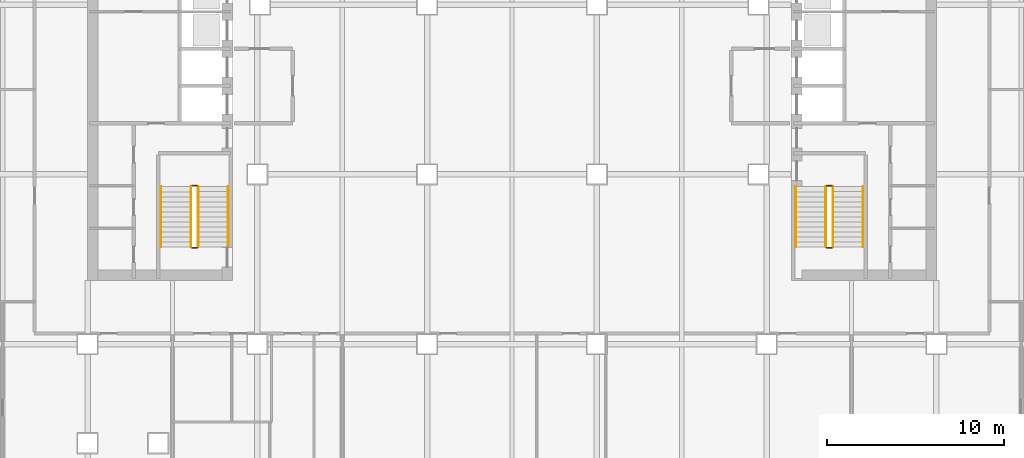
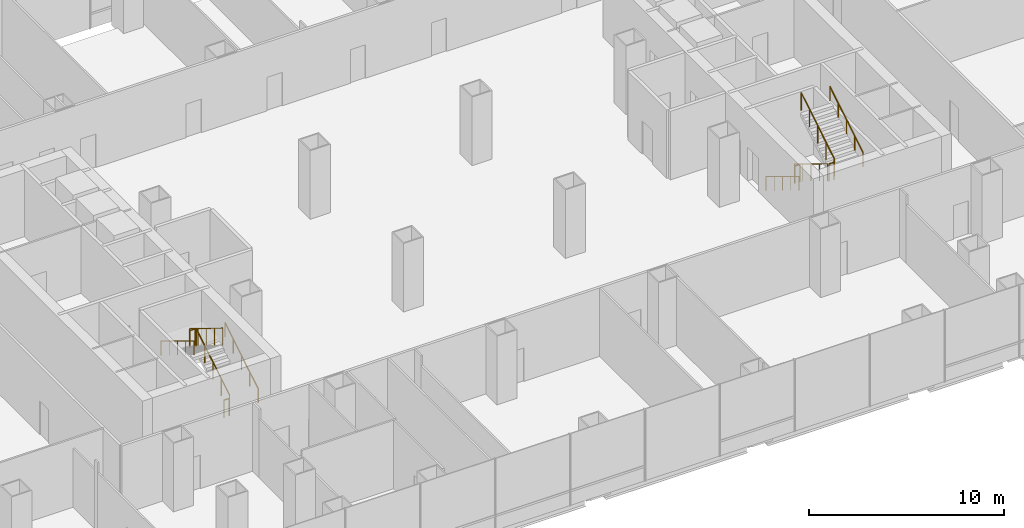
# One storey, part 22 of 23: 12 railings.
"""IFC4 building model written with IfcOpenShell, lengths in metres."""

from ifc_helpers import new_model, si_unit, direction, frame, origin, origin_2d, place, context, subcontext, project, spatial, circle, extrude, material, type_object, element, save


model = new_model("IFC4")

# Units and contexts
model_context = context("Model", 3, precision=1e-05, world=origin(), true_north=direction((0.0, 1.0)))
body_context = subcontext(model_context, "Body", "Model", "MODEL_VIEW")
ifc_project = project(units=[si_unit("LENGTHUNIT", "METRE"), si_unit("AREAUNIT", "SQUARE_METRE"), si_unit("VOLUMEUNIT", "CUBIC_METRE"), si_unit("PLANEANGLEUNIT", "RADIAN"), si_unit("MASSUNIT", "GRAM", prefix="KILO")], contexts=[model_context])

# Site, building, storey
site_placement = place(None, origin())
site = spatial("IfcSite", under=ifc_project, at=site_placement, CompositionType="ELEMENT")
building_placement = place(site_placement, origin())
building = spatial("IfcBuilding", under=site, at=building_placement, Name="Cobrizo Arcos Hotel Tower", CompositionType="ELEMENT")
storey_placement = place(building_placement, frame((0.0, 0.0, 20.0)))
storey = spatial("IfcBuildingStorey", under=building, at=storey_placement, Name="L03", CompositionType="ELEMENT", Elevation=20.0)

# Railings
ifc_material = material(Name="Stainless steel railing", Category="steel")
railing_type_1 = type_object("IfcRailingType", Name="Stair guard 1100", PredefinedType="GUARDRAIL", material=ifc_material)
railing_1_placement = place(storey_placement, frame((-17.75, -8.89990234375, 0.173095703125)))
element("IfcRailing", 1, at=railing_1_placement, inside=storey, type_object=railing_type_1, Name="L03 ST-W stair guard 1", PredefinedType="GUARDRAIL", context=body_context, shape_type="SweptSolid", body=[
    extrude(circle(Radius=0.02392578125, at=origin_2d()), frame((0.0, 0.0, 1.076171875), z_axis=(0.0, 0.853372706543, 0.52130127923), x_axis=(-1.0, 0.0, 0.0)), (0.0, 0.0, 1.0), 3.984130859375),
    extrude(circle(Radius=0.02099609375, at=origin_2d()), origin(), (0.0, 0.0, 1.0), 1.052001953125),
    extrude(circle(Radius=0.02099609375, at=origin_2d()), frame((0.0, 0.85009765625, 0.519287109375)), (0.0, 0.0, 1.0), 1.052001953125),
    extrude(circle(Radius=0.02099609375, at=origin_2d()), frame((0.0, 1.699951171875, 1.03857421875)), (0.0, 0.0, 1.0), 1.052001953125),
    extrude(circle(Radius=0.02099609375, at=origin_2d()), frame((0.0, 2.5498046875, 1.5576171875)), (0.0, 0.0, 1.0), 1.052001953125),
    extrude(circle(Radius=0.02099609375, at=origin_2d()), frame((0.0, 3.39990234375, 2.076904296875)), (0.0, 0.0, 1.0), 1.052001953125),
])
railing_2_placement = place(storey_placement, frame((-17.800048828125, -5.449951171875, 2.25)))
element("IfcRailing", 2, at=railing_2_placement, inside=storey, type_object=railing_type_1, Name="L03 ST-W stair guard 2", PredefinedType="GUARDRAIL", context=body_context, shape_type="SweptSolid", body=[
    extrude(circle(Radius=0.02392578125, at=origin_2d()), frame((0.0, 0.0, 1.076171875), z_axis=(-1.0, 0.0, 0.0), x_axis=(0.0, -1.0, 0.0)), (0.0, 0.0, 1.0), 0.300048828125),
    extrude(circle(Radius=0.02099609375, at=origin_2d()), origin(), (0.0, 0.0, 1.0), 1.052001953125),
    extrude(circle(Radius=0.02099609375, at=origin_2d()), frame((-0.300048828125, 0.0, 0.0)), (0.0, 0.0, 1.0), 1.052001953125),
])
railing_3_placement = place(storey_placement, frame((-18.14990234375, -5.5, 2.423095703125)))
element("IfcRailing", 3, at=railing_3_placement, inside=storey, type_object=railing_type_1, Name="L03 ST-W stair guard 3", PredefinedType="GUARDRAIL", context=body_context, shape_type="SweptSolid", body=[
    extrude(circle(Radius=0.02392578125, at=origin_2d()), frame((0.0, 0.0, 1.076171875), z_axis=(0.0, -0.853372706543, 0.52130127923), x_axis=(1.0, 0.0, 0.0)), (0.0, 0.0, 1.0), 3.984130859375),
    extrude(circle(Radius=0.02099609375, at=origin_2d()), origin(), (0.0, 0.0, 1.0), 1.052001953125),
    extrude(circle(Radius=0.02099609375, at=origin_2d()), frame((0.0, -0.85009765625, 0.519287109375)), (0.0, 0.0, 1.0), 1.052001953125),
    extrude(circle(Radius=0.02099609375, at=origin_2d()), frame((0.0, -1.699951171875, 1.03857421875)), (0.0, 0.0, 1.0), 1.052001953125),
    extrude(circle(Radius=0.02099609375, at=origin_2d()), frame((0.0, -2.5498046875, 1.5576171875)), (0.0, 0.0, 1.0), 1.052001953125),
    extrude(circle(Radius=0.02099609375, at=origin_2d()), frame((0.0, -3.39990234375, 2.076904296875)), (0.0, 0.0, 1.0), 1.052001953125),
])
railing_4_placement = place(storey_placement, frame((-17.800048828125, -8.949951171875, 0.0)))
element("IfcRailing", 4, at=railing_4_placement, inside=storey, type_object=railing_type_1, Name="L03 ST-W stair guard 4", PredefinedType="GUARDRAIL", context=body_context, shape_type="SweptSolid", body=[
    extrude(circle(Radius=0.02392578125, at=origin_2d()), frame((0.0, 0.0, 1.076171875), z_axis=(-1.0, 0.0, 0.0), x_axis=(0.0, -1.0, 0.0)), (0.0, 0.0, 1.0), 0.300048828125),
    extrude(circle(Radius=0.02099609375, at=origin_2d()), origin(), (0.0, 0.0, 1.0), 1.052001953125),
    extrude(circle(Radius=0.02099609375, at=origin_2d()), frame((-0.300048828125, 0.0, 0.0)), (0.0, 0.0, 1.0), 1.052001953125),
])
railing_5_placement = place(storey_placement, frame((17.75, -5.5, 0.173095703125)))
element("IfcRailing", 5, at=railing_5_placement, inside=storey, type_object=railing_type_1, Name="L03 ST-E stair guard 1", PredefinedType="GUARDRAIL", context=body_context, shape_type="SweptSolid", body=[
    extrude(circle(Radius=0.02392578125, at=origin_2d()), frame((0.0, 0.0, 1.076171875), z_axis=(0.0, -0.853372706543, 0.52130127923), x_axis=(1.0, 0.0, 0.0)), (0.0, 0.0, 1.0), 3.984130859375),
    extrude(circle(Radius=0.02099609375, at=origin_2d()), origin(), (0.0, 0.0, 1.0), 1.052001953125),
    extrude(circle(Radius=0.02099609375, at=origin_2d()), frame((0.0, -0.85009765625, 0.519287109375)), (0.0, 0.0, 1.0), 1.052001953125),
    extrude(circle(Radius=0.02099609375, at=origin_2d()), frame((0.0, -1.699951171875, 1.03857421875)), (0.0, 0.0, 1.0), 1.052001953125),
    extrude(circle(Radius=0.02099609375, at=origin_2d()), frame((0.0, -2.5498046875, 1.5576171875)), (0.0, 0.0, 1.0), 1.052001953125),
    extrude(circle(Radius=0.02099609375, at=origin_2d()), frame((0.0, -3.39990234375, 2.076904296875)), (0.0, 0.0, 1.0), 1.052001953125),
])
railing_6_placement = place(storey_placement, frame((17.800048828125, -8.949951171875, 2.25)))
element("IfcRailing", 6, at=railing_6_placement, inside=storey, type_object=railing_type_1, Name="L03 ST-E stair guard 2", PredefinedType="GUARDRAIL", context=body_context, shape_type="SweptSolid", body=[
    extrude(circle(Radius=0.02392578125, at=origin_2d()), frame((0.0, 0.0, 1.076171875), z_axis=(1.0, 0.0, 0.0), x_axis=(0.0, 1.0, 0.0)), (0.0, 0.0, 1.0), 0.300048828125),
    extrude(circle(Radius=0.02099609375, at=origin_2d()), origin(), (0.0, 0.0, 1.0), 1.052001953125),
    extrude(circle(Radius=0.02099609375, at=origin_2d()), frame((0.300048828125, 0.0, 0.0)), (0.0, 0.0, 1.0), 1.052001953125),
])
railing_7_placement = place(storey_placement, frame((18.14990234375, -8.89990234375, 2.423095703125)))
element("IfcRailing", 7, at=railing_7_placement, inside=storey, type_object=railing_type_1, Name="L03 ST-E stair guard 3", PredefinedType="GUARDRAIL", context=body_context, shape_type="SweptSolid", body=[
    extrude(circle(Radius=0.02392578125, at=origin_2d()), frame((0.0, 0.0, 1.076171875), z_axis=(0.0, 0.853372706543, 0.52130127923), x_axis=(-1.0, 0.0, 0.0)), (0.0, 0.0, 1.0), 3.984130859375),
    extrude(circle(Radius=0.02099609375, at=origin_2d()), origin(), (0.0, 0.0, 1.0), 1.052001953125),
    extrude(circle(Radius=0.02099609375, at=origin_2d()), frame((0.0, 0.85009765625, 0.519287109375)), (0.0, 0.0, 1.0), 1.052001953125),
    extrude(circle(Radius=0.02099609375, at=origin_2d()), frame((0.0, 1.699951171875, 1.03857421875)), (0.0, 0.0, 1.0), 1.052001953125),
    extrude(circle(Radius=0.02099609375, at=origin_2d()), frame((0.0, 2.5498046875, 1.5576171875)), (0.0, 0.0, 1.0), 1.052001953125),
    extrude(circle(Radius=0.02099609375, at=origin_2d()), frame((0.0, 3.39990234375, 2.076904296875)), (0.0, 0.0, 1.0), 1.052001953125),
])
railing_8_placement = place(storey_placement, frame((17.800048828125, -5.449951171875, 0.0)))
element("IfcRailing", 8, at=railing_8_placement, inside=storey, type_object=railing_type_1, Name="L03 ST-E stair guard 4", PredefinedType="GUARDRAIL", context=body_context, shape_type="SweptSolid", body=[
    extrude(circle(Radius=0.02392578125, at=origin_2d()), frame((0.0, 0.0, 1.076171875), z_axis=(1.0, 0.0, 0.0), x_axis=(0.0, 1.0, 0.0)), (0.0, 0.0, 1.0), 0.300048828125),
    extrude(circle(Radius=0.02099609375, at=origin_2d()), origin(), (0.0, 0.0, 1.0), 1.052001953125),
    extrude(circle(Radius=0.02099609375, at=origin_2d()), frame((0.300048828125, 0.0, 0.0)), (0.0, 0.0, 1.0), 1.052001953125),
])
railing_type_2 = type_object("IfcRailingType", Name="Stair handrail", PredefinedType="HANDRAIL", material=ifc_material)
railing_9_placement = place(storey_placement, frame((-16.050048828125, -8.89990234375, 0.173095703125)))
element("IfcRailing", 9, at=railing_9_placement, inside=storey, type_object=railing_type_2, Name="L03 ST-W stair handrail 1", PredefinedType="HANDRAIL", context=body_context, shape_type="SweptSolid", body=[
    extrude(circle(Radius=0.02392578125, at=origin_2d()), frame((0.0, 0.0, 0.8759765625), z_axis=(0.0, 0.853372706543, 0.52130127923), x_axis=(-1.0, 0.0, 0.0)), (0.0, 0.0, 1.0), 3.984130859375),
    extrude(circle(Radius=0.02099609375, at=origin_2d()), origin(), (0.0, 0.0, 1.0), 0.851806640625),
    extrude(circle(Radius=0.02099609375, at=origin_2d()), frame((0.0, 0.85009765625, 0.519287109375)), (0.0, 0.0, 1.0), 0.851806640625),
    extrude(circle(Radius=0.02099609375, at=origin_2d()), frame((0.0, 1.699951171875, 1.03857421875)), (0.0, 0.0, 1.0), 0.851806640625),
    extrude(circle(Radius=0.02099609375, at=origin_2d()), frame((0.0, 2.5498046875, 1.5576171875)), (0.0, 0.0, 1.0), 0.851806640625),
    extrude(circle(Radius=0.02099609375, at=origin_2d()), frame((0.0, 3.39990234375, 2.076904296875)), (0.0, 0.0, 1.0), 0.851806640625),
])
for number, where, name in (
    (10, (-19.85009765625, -5.5, 2.423095703125), "L03 ST-W stair handrail 2"),
    (11, (16.050048828125, -5.5, 0.173095703125), "L03 ST-E stair handrail 1"),
):
    element("IfcRailing", number, at=place(storey_placement, frame(where)), inside=storey, type_object=railing_type_2, Name=name, PredefinedType="HANDRAIL", context=body_context, shape_type="SweptSolid", body=[
        extrude(circle(Radius=0.02392578125, at=origin_2d()), frame((0.0, 0.0, 0.8759765625), z_axis=(0.0, -0.853372706543, 0.52130127923), x_axis=(1.0, 0.0, 0.0)), (0.0, 0.0, 1.0), 3.984130859375),
        extrude(circle(Radius=0.02099609375, at=origin_2d()), origin(), (0.0, 0.0, 1.0), 0.851806640625),
        extrude(circle(Radius=0.02099609375, at=origin_2d()), frame((0.0, -0.85009765625, 0.519287109375)), (0.0, 0.0, 1.0), 0.851806640625),
        extrude(circle(Radius=0.02099609375, at=origin_2d()), frame((0.0, -1.699951171875, 1.03857421875)), (0.0, 0.0, 1.0), 0.851806640625),
        extrude(circle(Radius=0.02099609375, at=origin_2d()), frame((0.0, -2.5498046875, 1.5576171875)), (0.0, 0.0, 1.0), 0.851806640625),
        extrude(circle(Radius=0.02099609375, at=origin_2d()), frame((0.0, -3.39990234375, 2.076904296875)), (0.0, 0.0, 1.0), 0.851806640625),
    ])
railing_10_placement = place(storey_placement, frame((19.85009765625, -8.89990234375, 2.423095703125)))
element("IfcRailing", 12, at=railing_10_placement, inside=storey, type_object=railing_type_2, Name="L03 ST-E stair handrail 2", PredefinedType="HANDRAIL", context=body_context, shape_type="SweptSolid", body=[
    extrude(circle(Radius=0.02392578125, at=origin_2d()), frame((0.0, 0.0, 0.8759765625), z_axis=(0.0, 0.853372706543, 0.52130127923), x_axis=(-1.0, 0.0, 0.0)), (0.0, 0.0, 1.0), 3.984130859375),
    extrude(circle(Radius=0.02099609375, at=origin_2d()), origin(), (0.0, 0.0, 1.0), 0.851806640625),
    extrude(circle(Radius=0.02099609375, at=origin_2d()), frame((0.0, 0.85009765625, 0.519287109375)), (0.0, 0.0, 1.0), 0.851806640625),
    extrude(circle(Radius=0.02099609375, at=origin_2d()), frame((0.0, 1.699951171875, 1.03857421875)), (0.0, 0.0, 1.0), 0.851806640625),
    extrude(circle(Radius=0.02099609375, at=origin_2d()), frame((0.0, 2.5498046875, 1.5576171875)), (0.0, 0.0, 1.0), 0.851806640625),
    extrude(circle(Radius=0.02099609375, at=origin_2d()), frame((0.0, 3.39990234375, 2.076904296875)), (0.0, 0.0, 1.0), 0.851806640625),
])

save(model, "model.ifc")
